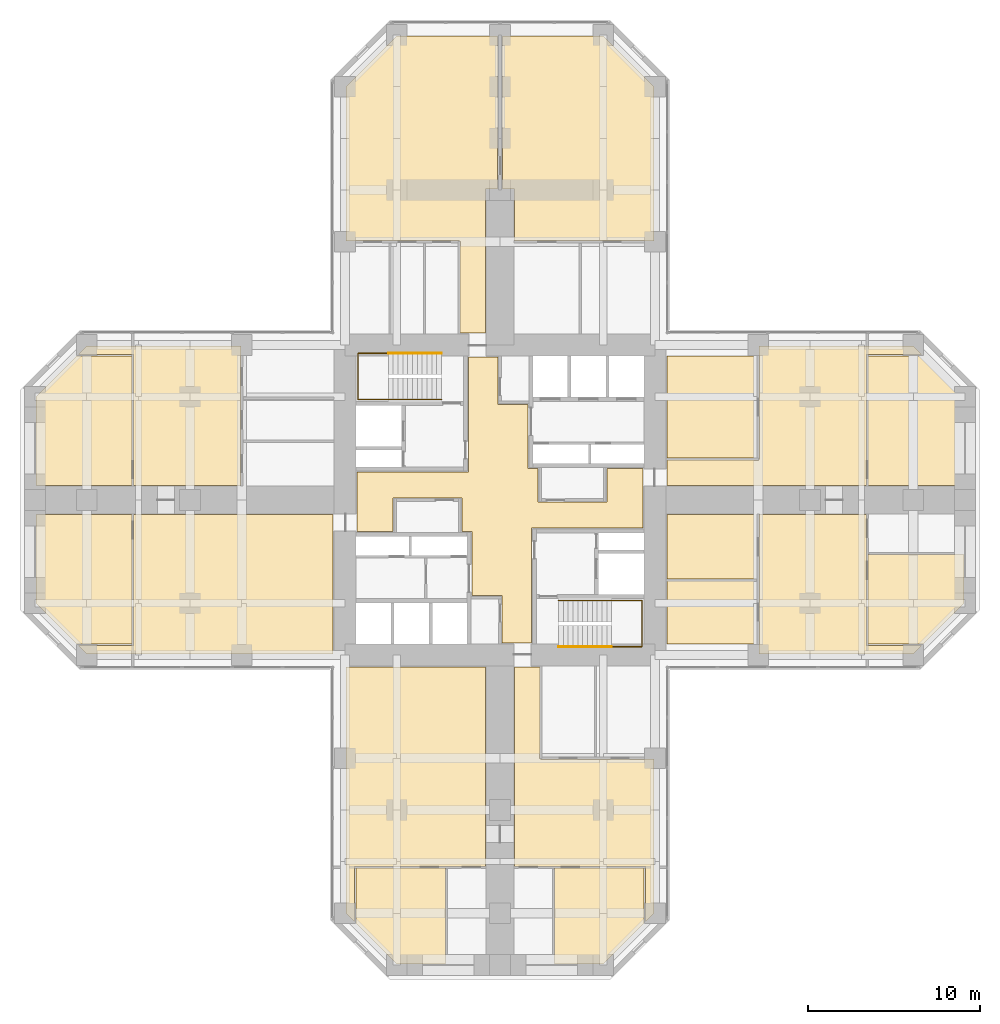
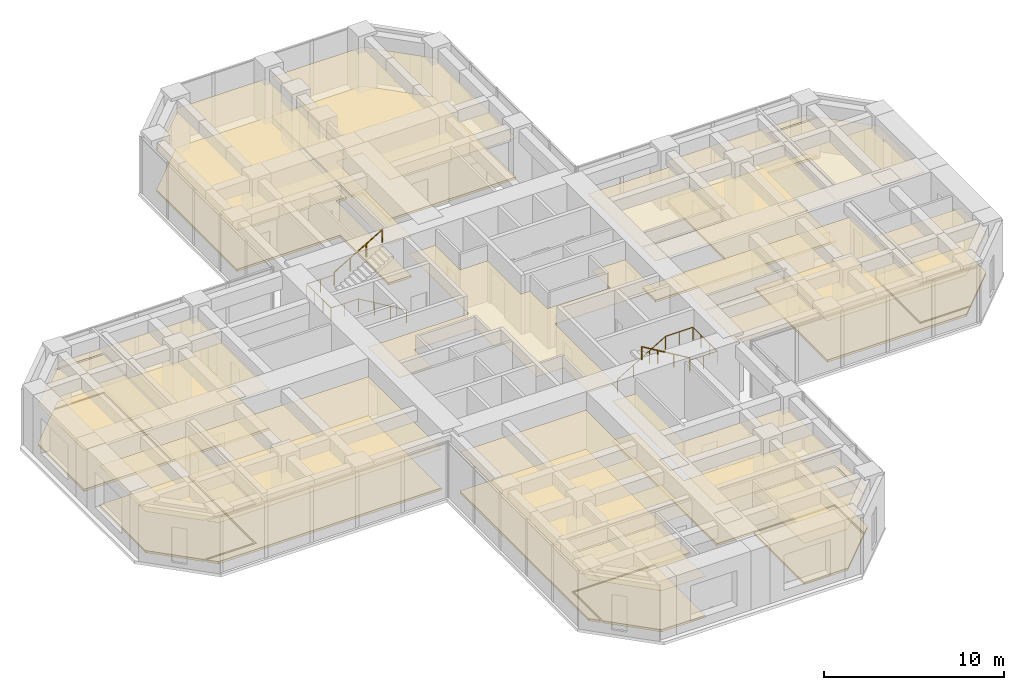
# One storey, part 13 of 13: 31 coverings, 4 railings.
"""IFC4 building model written with IfcOpenShell, lengths in metres."""

from ifc_helpers import new_model, si_unit, direction, frame, origin, origin_2d, place, context, subcontext, project, spatial, polyline, circle, outline, extrude, material, layer, layer_set, constituent, constituent_set, type_object, element, save


model = new_model("IFC4")

# Units and contexts
model_context = context("Model", 3, precision=1e-05, world=origin(), true_north=direction((0.0, 1.0)))
body_context = subcontext(model_context, "Body", "Model", "MODEL_VIEW")
ifc_project = project(units=[si_unit("LENGTHUNIT", "METRE"), si_unit("AREAUNIT", "SQUARE_METRE"), si_unit("VOLUMEUNIT", "CUBIC_METRE"), si_unit("PLANEANGLEUNIT", "RADIAN"), si_unit("MASSUNIT", "GRAM", prefix="KILO")], contexts=[model_context])

# Site, building, storey
site_placement = place(None, origin())
site = spatial("IfcSite", under=ifc_project, at=site_placement, CompositionType="ELEMENT")
building_placement = place(site_placement, origin())
building = spatial("IfcBuilding", under=site, at=building_placement, Name="Torre Cruceta", CompositionType="ELEMENT")
storey_placement = place(building_placement, frame((0.0, 0.0, 31.5)))
storey = spatial("IfcBuildingStorey", under=building, at=storey_placement, Name="L07", CompositionType="ELEMENT", Elevation=31.5)

# Railings
ifc_material_1 = material(Name="Stainless steel 1.4401", Category="steel")
railing_type = type_object("IfcRailingType", Name="HANDRAIL 900", PredefinedType="HANDRAIL", material=ifc_material_1)
railing_1_placement = place(storey_placement, frame((-3.39990234375, 5.8349609375, 0.166748046875)))
element("IfcRailing", 1, at=railing_1_placement, inside=storey, type_object=railing_type, Name="Handrail HR1 ST1 L07", PredefinedType="HANDRAIL", context=body_context, shape_type="SweptSolid", body=[
    extrude(circle(Radius=0.02392578125, at=origin_2d()), frame((0.0, 0.0, 0.8759765625), z_axis=(-0.859308565015, 0.0, 0.511457515432), x_axis=(0.0, -1.0, 0.0)), (0.0, 0.0, 1.0), 3.58447265625),
    extrude(circle(Radius=0.02392578125, at=origin_2d()), frame((-3.080078125, 0.0, 2.708984375), z_axis=(-1.0, 0.0, 0.0), x_axis=(0.0, -1.0, 0.0)), (0.0, 0.0, 1.0), 1.760009765625),
    extrude(circle(Radius=0.02392578125, at=origin_2d()), frame((-4.840087890625, 0.0, 2.708984375), z_axis=(0.0, 1.0, 0.0), x_axis=(-1.0, 0.0, 0.0)), (0.0, 0.0, 1.0), 2.679931640625),
    extrude(circle(Radius=0.02392578125, at=origin_2d()), frame((-4.840087890625, 2.679931640625, 2.708984375), z_axis=(1.0, 0.0, 0.0), x_axis=(0.0, 1.0, 0.0)), (0.0, 0.0, 1.0), 1.760009765625),
    extrude(circle(Radius=0.02099609375, at=origin_2d()), origin(), (0.0, 0.0, 1.0), 0.851806640625),
    extrude(circle(Radius=0.02099609375, at=origin_2d()), frame((-1.026611328125, 0.0, 0.611083984375)), (0.0, 0.0, 1.0), 0.851806640625),
    extrude(circle(Radius=0.02099609375, at=origin_2d()), frame((-2.053466796875, 0.0, 1.22216796875)), (0.0, 0.0, 1.0), 0.851806640625),
    extrude(circle(Radius=0.02099609375, at=origin_2d()), frame((-3.080078125, 0.0, 1.833251953125)), (0.0, 0.0, 1.0), 0.851806640625),
    extrude(circle(Radius=0.02099609375, at=origin_2d()), frame((-3.9599609375, 0.0, 1.833251953125)), (0.0, 0.0, 1.0), 0.851806640625),
    extrude(circle(Radius=0.02099609375, at=origin_2d()), frame((-4.840087890625, 0.0, 1.833251953125)), (0.0, 0.0, 1.0), 0.851806640625),
    extrude(circle(Radius=0.02099609375, at=origin_2d()), frame((-4.840087890625, 0.893310546875, 1.833251953125)), (0.0, 0.0, 1.0), 0.851806640625),
    extrude(circle(Radius=0.02099609375, at=origin_2d()), frame((-4.840087890625, 1.78662109375, 1.833251953125)), (0.0, 0.0, 1.0), 0.851806640625),
    extrude(circle(Radius=0.02099609375, at=origin_2d()), frame((-4.840087890625, 2.679931640625, 1.833251953125)), (0.0, 0.0, 1.0), 0.851806640625),
    extrude(circle(Radius=0.02099609375, at=origin_2d()), frame((-3.9599609375, 2.679931640625, 1.833251953125)), (0.0, 0.0, 1.0), 0.851806640625),
    extrude(circle(Radius=0.02099609375, at=origin_2d()), frame((-3.080078125, 2.679931640625, 1.833251953125)), (0.0, 0.0, 1.0), 0.851806640625),
])
railing_2_placement = place(storey_placement, frame((-6.47998046875, 8.514892578125, 2.166748046875)))
element("IfcRailing", 2, at=railing_2_placement, inside=storey, type_object=railing_type, Name="Handrail HR1 ST1 L07", PredefinedType="HANDRAIL", context=body_context, shape_type="SweptSolid", body=[
    extrude(circle(Radius=0.02392578125, at=origin_2d()), frame((0.0, 0.0, 0.8759765625), z_axis=(0.859308565015, 0.0, 0.511457515432), x_axis=(0.0, 1.0, 0.0)), (0.0, 0.0, 1.0), 3.58447265625),
    extrude(circle(Radius=0.02099609375, at=origin_2d()), origin(), (0.0, 0.0, 1.0), 0.851806640625),
    extrude(circle(Radius=0.02099609375, at=origin_2d()), frame((1.026611328125, 0.0, 0.611083984375)), (0.0, 0.0, 1.0), 0.851806640625),
    extrude(circle(Radius=0.02099609375, at=origin_2d()), frame((2.053466796875, 0.0, 1.22216796875)), (0.0, 0.0, 1.0), 0.851806640625),
    extrude(circle(Radius=0.02099609375, at=origin_2d()), frame((3.080078125, 0.0, 1.833251953125)), (0.0, 0.0, 1.0), 0.851806640625),
])
railing_3_placement = place(storey_placement, frame((3.39990234375, -5.8349609375, 0.166748046875)))
element("IfcRailing", 3, at=railing_3_placement, inside=storey, type_object=railing_type, Name="Handrail HR1 ST2 L07", PredefinedType="HANDRAIL", context=body_context, shape_type="SweptSolid", body=[
    extrude(circle(Radius=0.02392578125, at=origin_2d()), frame((0.0, 0.0, 0.8759765625), z_axis=(0.859308565015, 0.0, 0.511457515432), x_axis=(0.0, 1.0, 0.0)), (0.0, 0.0, 1.0), 3.58447265625),
    extrude(circle(Radius=0.02392578125, at=origin_2d()), frame((3.080078125, 0.0, 2.708984375), z_axis=(1.0, 0.0, 0.0), x_axis=(0.0, 1.0, 0.0)), (0.0, 0.0, 1.0), 1.760009765625),
    extrude(circle(Radius=0.02392578125, at=origin_2d()), frame((4.840087890625, 0.0, 2.708984375), z_axis=(0.0, -1.0, 0.0), x_axis=(1.0, 0.0, 0.0)), (0.0, 0.0, 1.0), 2.679931640625),
    extrude(circle(Radius=0.02392578125, at=origin_2d()), frame((4.840087890625, -2.679931640625, 2.708984375), z_axis=(-1.0, 0.0, 0.0), x_axis=(0.0, -1.0, 0.0)), (0.0, 0.0, 1.0), 1.760009765625),
    extrude(circle(Radius=0.02099609375, at=origin_2d()), origin(), (0.0, 0.0, 1.0), 0.851806640625),
    extrude(circle(Radius=0.02099609375, at=origin_2d()), frame((1.026611328125, 0.0, 0.611083984375)), (0.0, 0.0, 1.0), 0.851806640625),
    extrude(circle(Radius=0.02099609375, at=origin_2d()), frame((2.053466796875, 0.0, 1.22216796875)), (0.0, 0.0, 1.0), 0.851806640625),
    extrude(circle(Radius=0.02099609375, at=origin_2d()), frame((3.080078125, 0.0, 1.833251953125)), (0.0, 0.0, 1.0), 0.851806640625),
    extrude(circle(Radius=0.02099609375, at=origin_2d()), frame((3.9599609375, 0.0, 1.833251953125)), (0.0, 0.0, 1.0), 0.851806640625),
    extrude(circle(Radius=0.02099609375, at=origin_2d()), frame((4.840087890625, 0.0, 1.833251953125)), (0.0, 0.0, 1.0), 0.851806640625),
    extrude(circle(Radius=0.02099609375, at=origin_2d()), frame((4.840087890625, -0.893310546875, 1.833251953125)), (0.0, 0.0, 1.0), 0.851806640625),
    extrude(circle(Radius=0.02099609375, at=origin_2d()), frame((4.840087890625, -1.78662109375, 1.833251953125)), (0.0, 0.0, 1.0), 0.851806640625),
    extrude(circle(Radius=0.02099609375, at=origin_2d()), frame((4.840087890625, -2.679931640625, 1.833251953125)), (0.0, 0.0, 1.0), 0.851806640625),
    extrude(circle(Radius=0.02099609375, at=origin_2d()), frame((3.9599609375, -2.679931640625, 1.833251953125)), (0.0, 0.0, 1.0), 0.851806640625),
    extrude(circle(Radius=0.02099609375, at=origin_2d()), frame((3.080078125, -2.679931640625, 1.833251953125)), (0.0, 0.0, 1.0), 0.851806640625),
])
railing_4_placement = place(storey_placement, frame((6.47998046875, -8.514892578125, 2.166748046875)))
element("IfcRailing", 4, at=railing_4_placement, inside=storey, type_object=railing_type, Name="Handrail HR1 ST2 L07", PredefinedType="HANDRAIL", context=body_context, shape_type="SweptSolid", body=[
    extrude(circle(Radius=0.02392578125, at=origin_2d()), frame((0.0, 0.0, 0.8759765625), z_axis=(-0.859308565015, 0.0, 0.511457515432), x_axis=(0.0, -1.0, 0.0)), (0.0, 0.0, 1.0), 3.58447265625),
    extrude(circle(Radius=0.02099609375, at=origin_2d()), origin(), (0.0, 0.0, 1.0), 0.851806640625),
    extrude(circle(Radius=0.02099609375, at=origin_2d()), frame((-1.026611328125, 0.0, 0.611083984375)), (0.0, 0.0, 1.0), 0.851806640625),
    extrude(circle(Radius=0.02099609375, at=origin_2d()), frame((-2.053466796875, 0.0, 1.22216796875)), (0.0, 0.0, 1.0), 0.851806640625),
    extrude(circle(Radius=0.02099609375, at=origin_2d()), frame((-3.080078125, 0.0, 1.833251953125)), (0.0, 0.0, 1.0), 0.851806640625),
])

# Coverings
ifc_material_2 = material(Name="Steel DX51D", Category="steel")
ifc_constituent_1 = constituent(ifc_material_2, Name="Panel casing")
ifc_material_3 = material(Name="Calcium sulphate", Category="gypsum")
ifc_constituent_2 = constituent(ifc_material_3, Name="Panel core")
ifc_constituent_set = constituent_set(constituents=[ifc_constituent_1, ifc_constituent_2], Name="Raised access floor panel")
covering_type_1 = type_object("IfcCoveringType", Name="RAISED ACCESS FLOOR 150", PredefinedType="FLOORING", material=ifc_constituent_set)
covering_1_placement = place(storey_placement, origin())
element("IfcCovering", 5, at=covering_1_placement, inside=storey, type_object=covering_type_1, Name="Raised floor L07-032", PredefinedType="FLOORING", context=body_context, shape_type="SweptSolid", body=[
    extrude(outline(polyline([(-0.14990234375, 26.949951171875), (-0.14990234375, 18.050048828125), (-0.85009765625, 18.050048828125), (-0.85009765625, 9.699951171875), (-2.324951171875, 9.699951171875), (-2.324951171875, 15.050048828125), (-8.949951171875, 15.050048828125), (-8.949951171875, 23.979248046875), (-5.979248046875, 26.949951171875), (-0.14990234375, 26.949951171875)])), origin(), (0.0, 0.0, 1.0), 0.14990234375),
])
covering_2_placement = place(storey_placement, origin())
element("IfcCovering", 6, at=covering_2_placement, inside=storey, type_object=covering_type_1, Name="Raised floor L07-033", PredefinedType="FLOORING", context=body_context, shape_type="SweptSolid", body=[
    extrude(outline(polyline([(5.979248046875, 26.949951171875), (8.949951171875, 23.979248046875), (8.949951171875, 15.050048828125), (0.85009765625, 15.050048828125), (0.85009765625, 18.050048828125), (0.14990234375, 18.050048828125), (0.14990234375, 26.949951171875), (5.979248046875, 26.949951171875)])), origin(), (0.0, 0.0, 1.0), 0.14990234375),
])
covering_3_placement = place(storey_placement, origin())
element("IfcCovering", 7, at=covering_3_placement, inside=storey, type_object=covering_type_1, Name="Raised floor L07-039", PredefinedType="FLOORING", context=body_context, shape_type="SweptSolid", body=[
    extrude(outline(polyline([(24.579345703125, -8.35009765625), (21.3701171875, -8.35009765625), (21.3701171875, -3.16796875), (26.949951171875, -3.16796875), (26.949951171875, -5.979248046875), (24.579345703125, -8.35009765625)])), origin(), (0.0, 0.0, 1.0), 0.14990234375),
])
covering_4_placement = place(storey_placement, origin())
element("IfcCovering", 8, at=covering_4_placement, inside=storey, type_object=covering_type_1, Name="Raised floor L07-040", PredefinedType="FLOORING", context=body_context, shape_type="SweptSolid", body=[
    extrude(outline(polyline([(9.699951171875, 2.324951171875), (15.050048828125, 2.324951171875), (15.050048828125, 8.949951171875), (23.979248046875, 8.949951171875), (24.479248046875, 8.449951171875), (21.27001953125, 8.449951171875), (21.27001953125, 0.85009765625), (9.699951171875, 0.85009765625), (9.699951171875, 2.324951171875)])), origin(), (0.0, 0.0, 1.0), 0.14990234375),
])
covering_5_placement = place(storey_placement, origin())
element("IfcCovering", 9, at=covering_5_placement, inside=storey, type_object=covering_type_1, Name="Raised floor L07-041", PredefinedType="FLOORING", context=body_context, shape_type="SweptSolid", body=[
    extrude(outline(polyline([(15.050048828125, -8.949951171875), (15.050048828125, -0.85009765625), (21.27001953125, -0.85009765625), (21.27001953125, -8.449951171875), (24.479248046875, -8.449951171875), (23.979248046875, -8.949951171875), (15.050048828125, -8.949951171875)])), origin(), (0.0, 0.0, 1.0), 0.14990234375),
])
covering_6_placement = place(storey_placement, origin())
element("IfcCovering", 10, at=covering_6_placement, inside=storey, type_object=covering_type_1, Name="Raised floor L07-045", PredefinedType="FLOORING", context=body_context, shape_type="SweptSolid", body=[
    extrude(outline(polyline([(3.16796875, -26.949951171875), (3.16796875, -21.3701171875), (8.35009765625, -21.3701171875), (8.35009765625, -24.579345703125), (5.979248046875, -26.949951171875), (3.16796875, -26.949951171875)])), origin(), (0.0, 0.0, 1.0), 0.14990234375),
])
covering_7_placement = place(storey_placement, origin())
element("IfcCovering", 11, at=covering_7_placement, inside=storey, type_object=covering_type_1, Name="Raised floor L07-047", PredefinedType="FLOORING", context=body_context, shape_type="SweptSolid", body=[
    extrude(outline(polyline([(-8.35009765625, -24.579345703125), (-8.35009765625, -21.3701171875), (-3.16796875, -21.3701171875), (-3.16796875, -26.949951171875), (-5.979248046875, -26.949951171875), (-8.35009765625, -24.579345703125)])), origin(), (0.0, 0.0, 1.0), 0.14990234375),
])
covering_8_placement = place(storey_placement, origin())
element("IfcCovering", 12, at=covering_8_placement, inside=storey, type_object=covering_type_1, Name="Raised floor L07-048", PredefinedType="FLOORING", context=body_context, shape_type="SweptSolid", body=[
    extrude(outline(polyline([(0.85009765625, -21.27001953125), (0.85009765625, -9.699951171875), (2.324951171875, -9.699951171875), (2.324951171875, -15.050048828125), (8.949951171875, -15.050048828125), (8.949951171875, -23.979248046875), (8.449951171875, -24.479248046875), (8.449951171875, -21.27001953125), (0.85009765625, -21.27001953125)])), origin(), (0.0, 0.0, 1.0), 0.14990234375),
])
covering_9_placement = place(storey_placement, origin())
element("IfcCovering", 13, at=covering_9_placement, inside=storey, type_object=covering_type_1, Name="Raised floor L07-049", PredefinedType="FLOORING", context=body_context, shape_type="SweptSolid", body=[
    extrude(outline(polyline([(-8.449951171875, -21.27001953125), (-8.449951171875, -24.479248046875), (-8.949951171875, -23.979248046875), (-8.949951171875, -9.699951171875), (-0.85009765625, -9.699951171875), (-0.85009765625, -21.27001953125), (-8.449951171875, -21.27001953125)])), origin(), (0.0, 0.0, 1.0), 0.14990234375),
])
covering_10_placement = place(storey_placement, origin())
element("IfcCovering", 14, at=covering_10_placement, inside=storey, type_object=covering_type_1, Name="Raised floor L07-053", PredefinedType="FLOORING", context=body_context, shape_type="SweptSolid", body=[
    extrude(outline(polyline([(-26.949951171875, -0.85009765625), (-21.3701171875, -0.85009765625), (-21.3701171875, -8.35009765625), (-24.579345703125, -8.35009765625), (-26.949951171875, -5.979248046875), (-26.949951171875, -0.85009765625)])), origin(), (0.0, 0.0, 1.0), 0.14990234375),
])
covering_11_placement = place(storey_placement, origin())
element("IfcCovering", 15, at=covering_11_placement, inside=storey, type_object=covering_type_1, Name="Raised floor L07-054", PredefinedType="FLOORING", context=body_context, shape_type="SweptSolid", body=[
    extrude(outline(polyline([(-24.579345703125, 8.35009765625), (-21.3701171875, 8.35009765625), (-21.3701171875, 0.85009765625), (-26.949951171875, 0.85009765625), (-26.949951171875, 5.979248046875), (-24.579345703125, 8.35009765625)])), origin(), (0.0, 0.0, 1.0), 0.14990234375),
])
covering_12_placement = place(storey_placement, origin())
element("IfcCovering", 16, at=covering_12_placement, inside=storey, type_object=covering_type_1, Name="Raised floor L07-055", PredefinedType="FLOORING", context=body_context, shape_type="SweptSolid", body=[
    extrude(outline(polyline([(-21.27001953125, -8.449951171875), (-21.27001953125, -0.85009765625), (-9.699951171875, -0.85009765625), (-9.699951171875, -8.949951171875), (-23.979248046875, -8.949951171875), (-24.479248046875, -8.449951171875), (-21.27001953125, -8.449951171875)])), origin(), (0.0, 0.0, 1.0), 0.14990234375),
])
covering_13_placement = place(storey_placement, origin())
element("IfcCovering", 17, at=covering_13_placement, inside=storey, type_object=covering_type_1, Name="Raised floor L07-056", PredefinedType="FLOORING", context=body_context, shape_type="SweptSolid", body=[
    extrude(outline(polyline([(-21.27001953125, 8.449951171875), (-24.479248046875, 8.449951171875), (-23.979248046875, 8.949951171875), (-15.050048828125, 8.949951171875), (-15.050048828125, 0.85009765625), (-21.27001953125, 0.85009765625), (-21.27001953125, 8.449951171875)])), origin(), (0.0, 0.0, 1.0), 0.14990234375),
])
ifc_material_4 = material(Name="Mineral fibre ceiling tile", Category="gypsum")
ifc_layer = layer(ifc_material_4, 0.02001953125)
ifc_layer_set = layer_set([ifc_layer], Name="Mineral fibre ceiling tile")
covering_type_2 = type_object("IfcCoveringType", Name="SUSPENDED CEILING 20", PredefinedType="CEILING", material=ifc_layer_set)
covering_14_placement = place(storey_placement, frame((0.0, 0.0, 2.780029296875)))
element("IfcCovering", 18, at=covering_14_placement, inside=storey, type_object=covering_type_2, Name="Ceiling L07-001", PredefinedType="CEILING", context=body_context, shape_type="SweptSolid", body=[
    extrude(outline(polyline([(1.824951171875, -8.300048828125), (0.125, -8.300048828125), (0.125, -5.550048828125), (-1.625, -5.550048828125), (-1.625, -1.824951171875), (-2.199951171875, -1.824951171875), (-2.199951171875, 0.125), (-6.199951171875, 0.125), (-6.199951171875, -1.824951171875), (-8.300048828125, -1.824951171875), (-8.300048828125, 1.625), (-1.824951171875, 1.625), (-1.824951171875, 8.300048828125), (-0.125, 8.300048828125), (-0.125, 5.550048828125), (1.625, 5.550048828125), (1.625, 1.824951171875), (2.199951171875, 1.824951171875), (2.199951171875, -0.125), (6.199951171875, -0.125), (6.199951171875, 1.824951171875), (8.300048828125, 1.824951171875), (8.300048828125, -1.625), (1.824951171875, -1.625), (1.824951171875, -8.300048828125)])), origin(), (0.0, 0.0, 1.0), 0.02001953125),
])
covering_15_placement = place(storey_placement, frame((0.0, 0.0, 2.780029296875)))
element("IfcCovering", 19, at=covering_15_placement, inside=storey, type_object=covering_type_2, Name="Ceiling L07-032", PredefinedType="CEILING", context=body_context, shape_type="SweptSolid", body=[
    extrude(outline(polyline([(-0.14990234375, 26.949951171875), (-0.14990234375, 18.050048828125), (-0.85009765625, 18.050048828125), (-0.85009765625, 9.699951171875), (-2.324951171875, 9.699951171875), (-2.324951171875, 15.050048828125), (-8.949951171875, 15.050048828125), (-8.949951171875, 23.979248046875), (-5.979248046875, 26.949951171875), (-0.14990234375, 26.949951171875)])), origin(), (0.0, 0.0, 1.0), 0.02001953125),
])
covering_16_placement = place(storey_placement, frame((0.0, 0.0, 2.780029296875)))
element("IfcCovering", 20, at=covering_16_placement, inside=storey, type_object=covering_type_2, Name="Ceiling L07-033", PredefinedType="CEILING", context=body_context, shape_type="SweptSolid", body=[
    extrude(outline(polyline([(5.979248046875, 26.949951171875), (8.949951171875, 23.979248046875), (8.949951171875, 15.050048828125), (0.85009765625, 15.050048828125), (0.85009765625, 18.050048828125), (0.14990234375, 18.050048828125), (0.14990234375, 26.949951171875), (5.979248046875, 26.949951171875)])), origin(), (0.0, 0.0, 1.0), 0.02001953125),
])
covering_17_placement = place(storey_placement, frame((0.0, 0.0, 2.780029296875)))
element("IfcCovering", 21, at=covering_17_placement, inside=storey, type_object=covering_type_2, Name="Ceiling L07-034", PredefinedType="CEILING", context=body_context, shape_type="SweptSolid", body=[
    extrude(outline(polyline([(9.699951171875, 2.425048828125), (9.699951171875, 8.35009765625), (14.949951171875, 8.35009765625), (14.949951171875, 2.425048828125), (9.699951171875, 2.425048828125)])), origin(), (0.0, 0.0, 1.0), 0.02001953125),
])
covering_18_placement = place(storey_placement, frame((0.0, 0.0, 2.780029296875)))
element("IfcCovering", 22, at=covering_18_placement, inside=storey, type_object=covering_type_2, Name="Ceiling L07-035", PredefinedType="CEILING", context=body_context, shape_type="SweptSolid", body=[
    extrude(outline(polyline([(9.699951171875, -4.60009765625), (9.699951171875, -0.85009765625), (14.949951171875, -0.85009765625), (14.949951171875, -4.60009765625), (9.699951171875, -4.60009765625)])), origin(), (0.0, 0.0, 1.0), 0.02001953125),
])
covering_19_placement = place(storey_placement, frame((0.0, 0.0, 2.780029296875)))
element("IfcCovering", 23, at=covering_19_placement, inside=storey, type_object=covering_type_2, Name="Ceiling L07-036", PredefinedType="CEILING", context=body_context, shape_type="SweptSolid", body=[
    extrude(outline(polyline([(9.699951171875, -8.35009765625), (9.699951171875, -4.699951171875), (14.949951171875, -4.699951171875), (14.949951171875, -8.35009765625), (9.699951171875, -8.35009765625)])), origin(), (0.0, 0.0, 1.0), 0.02001953125),
])
covering_20_placement = place(storey_placement, frame((0.0, 0.0, 2.780029296875)))
element("IfcCovering", 24, at=covering_20_placement, inside=storey, type_object=covering_type_2, Name="Ceiling L07-037", PredefinedType="CEILING", context=body_context, shape_type="SweptSolid", body=[
    extrude(outline(polyline([(26.949951171875, 0.85009765625), (21.3701171875, 0.85009765625), (21.3701171875, 8.35009765625), (24.579345703125, 8.35009765625), (26.949951171875, 5.979248046875), (26.949951171875, 0.85009765625)])), origin(), (0.0, 0.0, 1.0), 0.02001953125),
])
covering_21_placement = place(storey_placement, frame((0.0, 0.0, 2.780029296875)))
element("IfcCovering", 25, at=covering_21_placement, inside=storey, type_object=covering_type_2, Name="Ceiling L07-039", PredefinedType="CEILING", context=body_context, shape_type="SweptSolid", body=[
    extrude(outline(polyline([(24.579345703125, -8.35009765625), (21.3701171875, -8.35009765625), (21.3701171875, -3.16796875), (26.949951171875, -3.16796875), (26.949951171875, -5.979248046875), (24.579345703125, -8.35009765625)])), origin(), (0.0, 0.0, 1.0), 0.02001953125),
])
covering_22_placement = place(storey_placement, frame((0.0, 0.0, 2.780029296875)))
element("IfcCovering", 26, at=covering_22_placement, inside=storey, type_object=covering_type_2, Name="Ceiling L07-040", PredefinedType="CEILING", context=body_context, shape_type="SweptSolid", body=[
    extrude(outline(polyline([(9.699951171875, 2.324951171875), (15.050048828125, 2.324951171875), (15.050048828125, 8.949951171875), (23.979248046875, 8.949951171875), (24.479248046875, 8.449951171875), (21.27001953125, 8.449951171875), (21.27001953125, 0.85009765625), (9.699951171875, 0.85009765625), (9.699951171875, 2.324951171875)])), origin(), (0.0, 0.0, 1.0), 0.02001953125),
])
covering_23_placement = place(storey_placement, frame((0.0, 0.0, 2.780029296875)))
element("IfcCovering", 27, at=covering_23_placement, inside=storey, type_object=covering_type_2, Name="Ceiling L07-041", PredefinedType="CEILING", context=body_context, shape_type="SweptSolid", body=[
    extrude(outline(polyline([(15.050048828125, -8.949951171875), (15.050048828125, -0.85009765625), (21.27001953125, -0.85009765625), (21.27001953125, -8.449951171875), (24.479248046875, -8.449951171875), (23.979248046875, -8.949951171875), (15.050048828125, -8.949951171875)])), origin(), (0.0, 0.0, 1.0), 0.02001953125),
])
covering_24_placement = place(storey_placement, frame((0.0, 0.0, 2.780029296875)))
element("IfcCovering", 28, at=covering_24_placement, inside=storey, type_object=covering_type_2, Name="Ceiling L07-045", PredefinedType="CEILING", context=body_context, shape_type="SweptSolid", body=[
    extrude(outline(polyline([(3.16796875, -26.949951171875), (3.16796875, -21.3701171875), (8.35009765625, -21.3701171875), (8.35009765625, -24.579345703125), (5.979248046875, -26.949951171875), (3.16796875, -26.949951171875)])), origin(), (0.0, 0.0, 1.0), 0.02001953125),
])
covering_25_placement = place(storey_placement, frame((0.0, 0.0, 2.780029296875)))
element("IfcCovering", 29, at=covering_25_placement, inside=storey, type_object=covering_type_2, Name="Ceiling L07-047", PredefinedType="CEILING", context=body_context, shape_type="SweptSolid", body=[
    extrude(outline(polyline([(-8.35009765625, -24.579345703125), (-8.35009765625, -21.3701171875), (-3.16796875, -21.3701171875), (-3.16796875, -26.949951171875), (-5.979248046875, -26.949951171875), (-8.35009765625, -24.579345703125)])), origin(), (0.0, 0.0, 1.0), 0.02001953125),
])
covering_26_placement = place(storey_placement, frame((0.0, 0.0, 2.780029296875)))
element("IfcCovering", 30, at=covering_26_placement, inside=storey, type_object=covering_type_2, Name="Ceiling L07-048", PredefinedType="CEILING", context=body_context, shape_type="SweptSolid", body=[
    extrude(outline(polyline([(0.85009765625, -21.27001953125), (0.85009765625, -9.699951171875), (2.324951171875, -9.699951171875), (2.324951171875, -15.050048828125), (8.949951171875, -15.050048828125), (8.949951171875, -23.979248046875), (8.449951171875, -24.479248046875), (8.449951171875, -21.27001953125), (0.85009765625, -21.27001953125)])), origin(), (0.0, 0.0, 1.0), 0.02001953125),
])
covering_27_placement = place(storey_placement, frame((0.0, 0.0, 2.780029296875)))
element("IfcCovering", 31, at=covering_27_placement, inside=storey, type_object=covering_type_2, Name="Ceiling L07-049", PredefinedType="CEILING", context=body_context, shape_type="SweptSolid", body=[
    extrude(outline(polyline([(-8.449951171875, -21.27001953125), (-8.449951171875, -24.479248046875), (-8.949951171875, -23.979248046875), (-8.949951171875, -9.699951171875), (-0.85009765625, -9.699951171875), (-0.85009765625, -21.27001953125), (-8.449951171875, -21.27001953125)])), origin(), (0.0, 0.0, 1.0), 0.02001953125),
])
covering_28_placement = place(storey_placement, frame((0.0, 0.0, 2.780029296875)))
element("IfcCovering", 32, at=covering_28_placement, inside=storey, type_object=covering_type_2, Name="Ceiling L07-053", PredefinedType="CEILING", context=body_context, shape_type="SweptSolid", body=[
    extrude(outline(polyline([(-26.949951171875, -0.85009765625), (-21.3701171875, -0.85009765625), (-21.3701171875, -8.35009765625), (-24.579345703125, -8.35009765625), (-26.949951171875, -5.979248046875), (-26.949951171875, -0.85009765625)])), origin(), (0.0, 0.0, 1.0), 0.02001953125),
])
covering_29_placement = place(storey_placement, frame((0.0, 0.0, 2.780029296875)))
element("IfcCovering", 33, at=covering_29_placement, inside=storey, type_object=covering_type_2, Name="Ceiling L07-054", PredefinedType="CEILING", context=body_context, shape_type="SweptSolid", body=[
    extrude(outline(polyline([(-24.579345703125, 8.35009765625), (-21.3701171875, 8.35009765625), (-21.3701171875, 0.85009765625), (-26.949951171875, 0.85009765625), (-26.949951171875, 5.979248046875), (-24.579345703125, 8.35009765625)])), origin(), (0.0, 0.0, 1.0), 0.02001953125),
])
covering_30_placement = place(storey_placement, frame((0.0, 0.0, 2.780029296875)))
element("IfcCovering", 34, at=covering_30_placement, inside=storey, type_object=covering_type_2, Name="Ceiling L07-055", PredefinedType="CEILING", context=body_context, shape_type="SweptSolid", body=[
    extrude(outline(polyline([(-21.27001953125, -8.449951171875), (-21.27001953125, -0.85009765625), (-9.699951171875, -0.85009765625), (-9.699951171875, -8.949951171875), (-23.979248046875, -8.949951171875), (-24.479248046875, -8.449951171875), (-21.27001953125, -8.449951171875)])), origin(), (0.0, 0.0, 1.0), 0.02001953125),
])
covering_31_placement = place(storey_placement, frame((0.0, 0.0, 2.780029296875)))
element("IfcCovering", 35, at=covering_31_placement, inside=storey, type_object=covering_type_2, Name="Ceiling L07-056", PredefinedType="CEILING", context=body_context, shape_type="SweptSolid", body=[
    extrude(outline(polyline([(-21.27001953125, 8.449951171875), (-24.479248046875, 8.449951171875), (-23.979248046875, 8.949951171875), (-15.050048828125, 8.949951171875), (-15.050048828125, 0.85009765625), (-21.27001953125, 0.85009765625), (-21.27001953125, 8.449951171875)])), origin(), (0.0, 0.0, 1.0), 0.02001953125),
])

save(model, "model.ifc")
